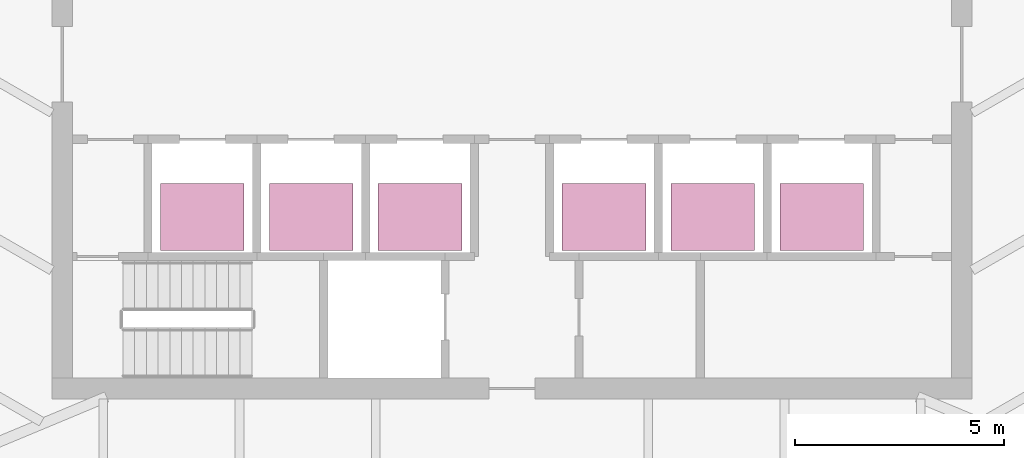
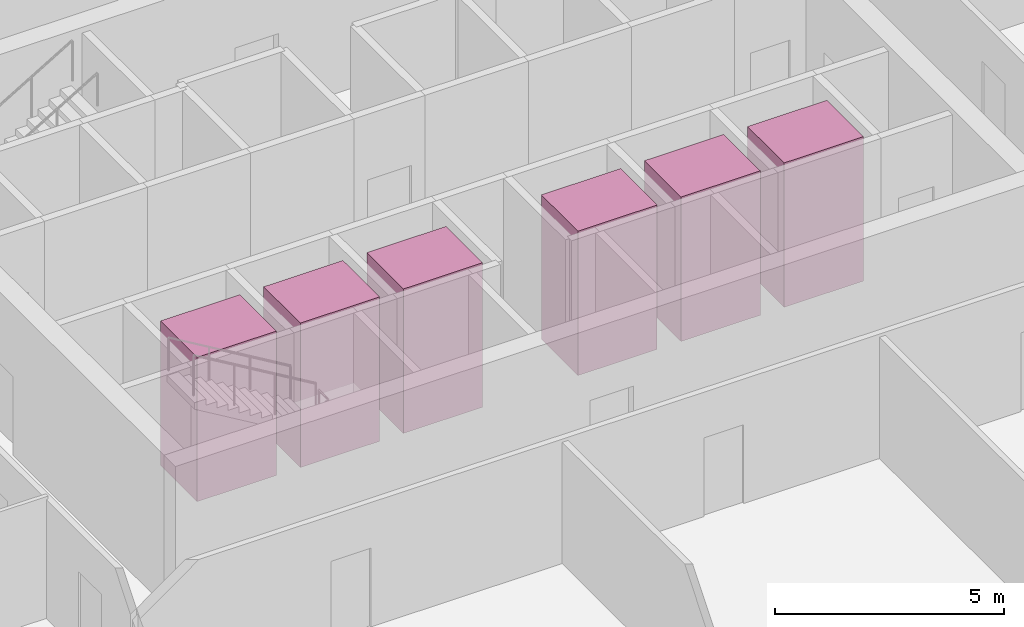
# One storey, part 17 of 17: 6 transport elements.
"""IFC4 building model written with IfcOpenShell, lengths in metres."""

from ifc_helpers import new_model, si_unit, direction, frame, origin, origin_2d, place, context, subcontext, project, spatial, rectangle, extrude, material, type_object, element, save


model = new_model("IFC4")

# Units and contexts
model_context = context("Model", 3, precision=1e-05, world=origin(), true_north=direction((0.0, 1.0)))
body_context = subcontext(model_context, "Body", "Model", "MODEL_VIEW")
ifc_project = project(units=[si_unit("LENGTHUNIT", "METRE"), si_unit("AREAUNIT", "SQUARE_METRE"), si_unit("VOLUMEUNIT", "CUBIC_METRE"), si_unit("PLANEANGLEUNIT", "RADIAN"), si_unit("MASSUNIT", "GRAM", prefix="KILO")], contexts=[model_context])

# Site, building, storey
site_placement = place(None, origin())
site = spatial("IfcSite", under=ifc_project, at=site_placement, CompositionType="ELEMENT")
building_placement = place(site_placement, origin())
building = spatial("IfcBuilding", under=site, at=building_placement, Name="Sierra Prisma Convention Tower", CompositionType="ELEMENT")
storey_placement = place(building_placement, frame((0.0, 0.0, 149.800048828125)))
storey = spatial("IfcBuildingStorey", under=building, at=storey_placement, Name="L32", CompositionType="ELEMENT", Elevation=149.800048828125)

# Transport elements
ifc_material = material(Name="Stainless steel", Category="steel")
transport_element_type = type_object("IfcTransportElementType", Name="Lift car office low 2000x1600 1600 kg", PredefinedType="ELEVATOR", material=ifc_material)
for number, where, z_axis, x_axis, name in (
    (1, (-7.39990234375, -3.64990234375, 0.0), (0.0, 0.0, 1.0), (1.0, 0.0, 0.0), "Lift OL1"),
    (2, (-4.800048828125, -3.64990234375, 0.0), (0.0, 0.0, 1.0), (1.0, 0.0, 0.0), "Lift OL2"),
    (3, (-2.199951171875, -3.64990234375, 0.0), (0.0, 0.0, 1.0), (1.0, 0.0, 0.0), "Lift OL3"),
    (4, (2.199951171875, -3.64990234375, 0.0), (0.0, 0.0, 1.0), (1.0, 0.0, 0.0), "Lift OL4"),
    (5, (4.800048828125, -3.64990234375, 0.0), (0.0, 0.0, 1.0), (1.0, 0.0, 0.0), "Lift OL5"),
    (6, (7.39990234375, -3.64990234375, 0.0), (0.0, 0.0, 1.0), (1.0, 0.0, 0.0), "Lift OL6"),
):
    element("IfcTransportElement", number, at=place(storey_placement, frame(where, z_axis=z_axis, x_axis=x_axis)), inside=storey, type_object=transport_element_type, Name=name, PredefinedType="ELEVATOR", context=body_context, shape_type="SweptSolid", body=[
        extrude(rectangle(XDim=2.0, YDim=1.60009765625, at=origin_2d()), origin(), (0.0, 0.0, 1.0), 3.85009765625),
    ])

save(model, "model.ifc")
